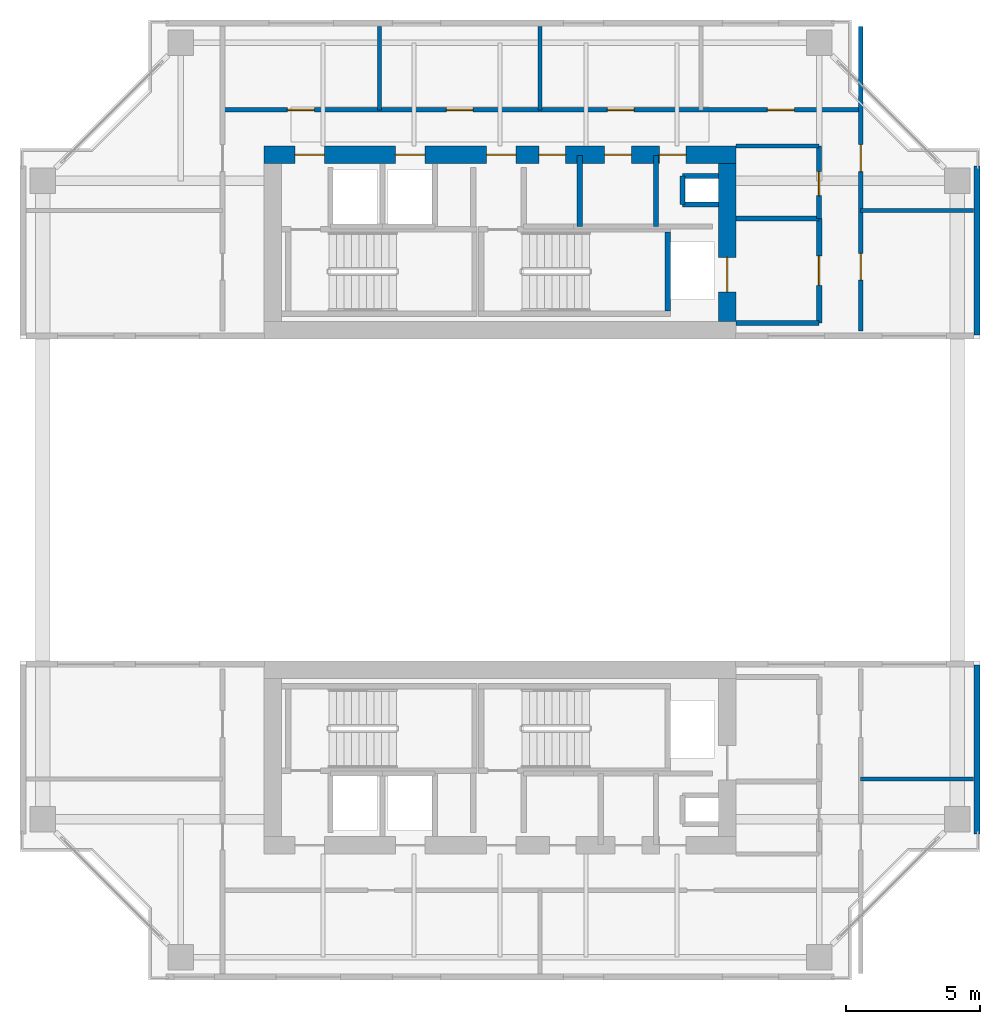
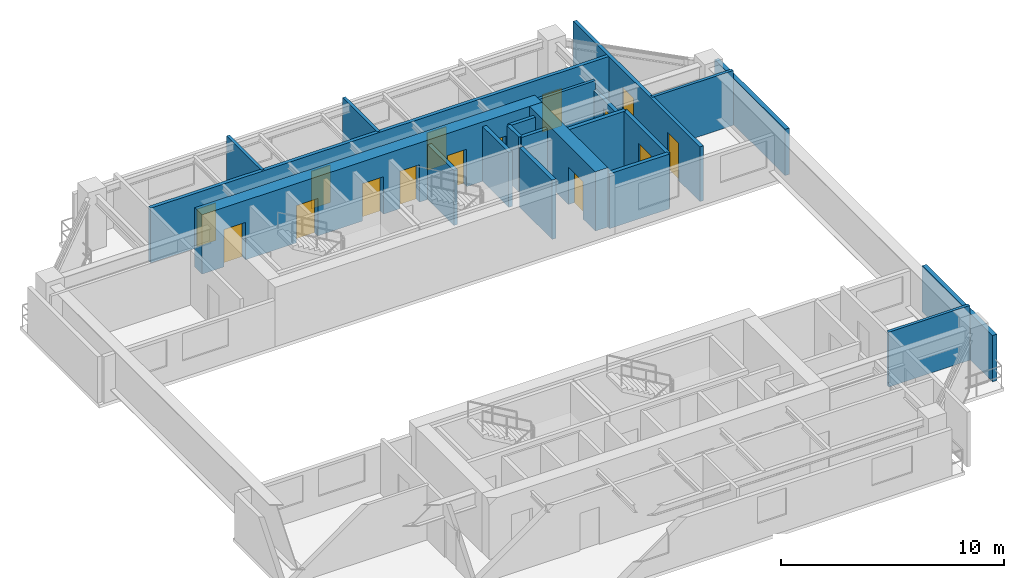
# One storey, part 9 of 12: 21 walls, 15 doors, 15 openings.
"""IFC4 building model written with IfcOpenShell, lengths in metres."""

from ifc_helpers import new_model, si_unit, direction, frame, frame_2d, origin, place, context, subcontext, project, spatial, rectangle, extrude, source, transform, mapped, material, layer, layer_set, type_object, element, fill, save


model = new_model("IFC4")

# Units and contexts
model_context = context("Model", 3, precision=1e-05, world=origin(), true_north=direction((0.0, 1.0)))
body_context = subcontext(model_context, "Body", "Model", "MODEL_VIEW")
ifc_project = project(units=[si_unit("LENGTHUNIT", "METRE"), si_unit("AREAUNIT", "SQUARE_METRE"), si_unit("VOLUMEUNIT", "CUBIC_METRE"), si_unit("PLANEANGLEUNIT", "RADIAN"), si_unit("MASSUNIT", "GRAM", prefix="KILO"), si_unit("THERMODYNAMICTEMPERATUREUNIT", "KELVIN"), si_unit("POWERUNIT", "WATT")], contexts=[model_context])

# Site, building, storey
site_placement = place(None, origin())
site = spatial("IfcSite", under=ifc_project, at=site_placement, CompositionType="ELEMENT")
building_placement = place(site_placement, origin())
building = spatial("IfcBuilding", under=site, at=building_placement, Name="Qiaomeng Ring Towers", CompositionType="ELEMENT")
storey_placement = place(building_placement, frame((0.0, 0.0, 169.75)))
storey = spatial("IfcBuildingStorey", under=building, at=storey_placement, Name="L49", CompositionType="ELEMENT", Elevation=169.75)

# Walls
ifc_material_1 = material(Name="Precast concrete C40", Category="concrete")
ifc_layer_1 = layer(ifc_material_1, 0.219970703125, Name="Precast concrete C40")
ifc_layer_set_1 = layer_set([ifc_layer_1], Name="Precast concrete C40")
wall_type_1 = type_object("IfcWallType", Name="ARC-WL-EW2", PredefinedType="STANDARD", material=ifc_layer_set_1)
for number, where, z_axis, x_axis, name in (
    (1, (36.7900390625, 29.14990234375, 0.0), (0.0, 0.0, 1.0), (0.0, 1.0, 0.0), "L49 Portal Wing Side Wall NWING-EL"),
    (2, (36.7900390625, 10.550048828125, 0.0), (0.0, 0.0, 1.0), (0.0, 1.0, 0.0), "L49 Portal Wing Side Wall SWING-EL"),
):
    element("IfcWall", number, at=place(storey_placement, frame(where, z_axis=z_axis, x_axis=x_axis)), inside=storey, type_object=wall_type_1, Name=name, PredefinedType="STANDARD", context=body_context, shape_type="SweptSolid", body=[
        extrude(rectangle(XDim=6.300048828125, YDim=0.219970703125, at=frame_2d((3.14990234375, 0.0))), origin(), (0.0, 0.0, 1.0), 2.5400390625),
    ])
ifc_material_2 = material(Name="Autoclaved aerated concrete block", Category="concrete")
ifc_layer_2 = layer(ifc_material_2, 0.199951171875, Name="Autoclaved aerated concrete block")
ifc_layer_set_2 = layer_set([ifc_layer_2], Name="Autoclaved aerated concrete block")
wall_type_2 = type_object("IfcWallType", Name="ARC-WL-PW1", PredefinedType="PARTITIONING", material=ifc_layer_set_2)
for number, where, z_axis, x_axis, name in (
    (3, (27.800048828125, 29.60009765625, 0.0), (0.0, 0.0, 1.0), (1.0, 0.0, 0.0), "L49 Interior Wall PW1"),
    (4, (27.800048828125, 33.5, 0.0), (0.0, 0.0, 1.0), (1.0, 0.0, 0.0), "L49 Interior Wall PW1"),
):
    element("IfcWall", number, at=place(storey_placement, frame(where, z_axis=z_axis, x_axis=x_axis)), inside=storey, type_object=wall_type_2, Name=name, PredefinedType="PARTITIONING", context=body_context, shape_type="SweptSolid", body=[
        extrude(rectangle(XDim=3.099853515625, YDim=0.199951171875, at=frame_2d((1.5498046875, 0.0))), origin(), (0.0, 0.0, 1.0), 3.0),
    ])

# Wall, opening, door
wall_1_placement = place(storey_placement, frame((30.89990234375, 29.60009765625, 0.0), z_axis=(0.0, 0.0, 1.0), x_axis=(0.0, 1.0, 0.0)))
wall_1 = element("IfcWall", 5, at=wall_1_placement, inside=storey, type_object=wall_type_2, Name="L49 Interior Wall PW1", PredefinedType="PARTITIONING", context=body_context, shape_type="SweptSolid", body=[
    extrude(rectangle(XDim=3.89990234375, YDim=0.199951171875, at=frame_2d((1.949951171875, 0.0))), origin(), (0.0, 0.0, 1.0), 3.0),
])
opening_1_placement = place(wall_1_placement, frame((1.39990234375, 0.0, 0.0)))
opening_1 = element("IfcOpeningElement", 6, at=opening_1_placement, cuts=wall_1, Name="Opening FD3", PredefinedType="OPENING", context=body_context, shape_type="SweptSolid", body=[
    extrude(rectangle(XDim=1.10009765625, YDim=2.050048828125, at=frame_2d((0.550048828125, 1.02490234375))), frame((0.0, 0.10986328125, 0.0), z_axis=(0.0, -1.0, 0.0), x_axis=(1.0, 0.0, 0.0)), (0.0, 0.0, 1.0), 0.219970703125),
])
ifc_material_3 = material(Name="Galvanised steel", Category="steel")
door_type_1 = type_object("IfcDoorType", Name="ARC-DR-FD3", OperationType="NOTDEFINED", PredefinedType="DOOR", material=ifc_material_3)
shared_shape_1 = source(origin(), body_context, "Body", "SweptSolid", [
    extrude(rectangle(XDim=1.10009765625, YDim=2.050048828125, at=frame_2d((0.550048828125, 1.02490234375))), frame((0.0, 0.02490234375, 0.0), z_axis=(0.0, -1.0, 0.0), x_axis=(1.0, 0.0, 0.0)), (0.0, 0.0, 1.0), 0.050048828125),
])
door_1_placement = place(opening_1_placement, origin())
door_1 = element("IfcDoor", 7, at=door_1_placement, inside=storey, type_object=door_type_1, Name="L49 North FF Lobby Door", OperationType="SINGLE_SWING_RIGHT", OverallHeight=2.050048828125, OverallWidth=1.10009765625, PredefinedType="DOOR", context=body_context, shape_type="MappedRepresentation", body=[
    mapped(shared_shape_1, transform((0.0, 0.0, 0.0), x_axis=(1.0, 0.0, 0.0), y_axis=(0.0, 1.0, 0.0), z_axis=(0.0, 0.0, 1.0), scale=1.0)),
])
fill(opening_1, door_1)

# Walls
for number, where, z_axis, x_axis, name in (
    (8, (24.820068359375, 33.199951171875, 0.0), (0.0, 0.0, 1.0), (0.0, 1.0, 0.0), "L49 Interior Wall PW1"),
    (9, (21.97998046875, 33.199951171875, 0.0), (0.0, 0.0, 1.0), (0.0, 1.0, 0.0), "L49 Interior Wall PW1"),
):
    element("IfcWall", number, at=place(storey_placement, frame(where, z_axis=z_axis, x_axis=x_axis)), inside=storey, type_object=wall_type_2, Name=name, PredefinedType="PARTITIONING", context=body_context, shape_type="SweptSolid", body=[
        extrude(rectangle(XDim=2.650146484375, YDim=0.199951171875, at=frame_2d((1.3251953125, 0.0))), origin(), (0.0, 0.0, 1.0), 3.0),
    ])

# Wall, opening, door
ifc_layer_3 = layer(ifc_material_2, 0.179931640625, Name="Autoclaved aerated concrete block")
ifc_layer_set_3 = layer_set([ifc_layer_3], Name="Autoclaved aerated concrete block")
wall_type_3 = type_object("IfcWallType", Name="ARC-WL-PW2", PredefinedType="PARTITIONING", material=ifc_layer_set_3)
wall_2_placement = place(storey_placement, frame((30.89990234375, 33.5, 0.0), z_axis=(0.0, 0.0, 1.0), x_axis=(0.0, 1.0, 0.0)))
wall_2 = element("IfcWall", 10, at=wall_2_placement, inside=storey, type_object=wall_type_3, Name="L49 Interior Wall PW2", PredefinedType="PARTITIONING", context=body_context, shape_type="SweptSolid", body=[
    extrude(rectangle(XDim=2.699951171875, YDim=0.179931640625, at=frame_2d((1.35009765625, 0.0))), origin(), (0.0, 0.0, 1.0), 2.4951171875),
])
opening_2_placement = place(wall_2_placement, frame((0.85009765625, 0.0, 0.0)))
opening_2 = element("IfcOpeningElement", 11, at=opening_2_placement, cuts=wall_2, Name="Opening ID1", PredefinedType="OPENING", context=body_context, shape_type="SweptSolid", body=[
    extrude(rectangle(XDim=0.89990234375, YDim=2.050048828125, at=frame_2d((0.449951171875, 1.02490234375))), frame((0.0, 0.099853515625, 0.0), z_axis=(0.0, -1.0, 0.0), x_axis=(1.0, 0.0, 0.0)), (0.0, 0.0, 1.0), 0.199951171875),
])
ifc_material_4 = material(Name="Engineered oak timber", Category="wood")
door_type_2 = type_object("IfcDoorType", Name="ARC-DR-ID1", OperationType="NOTDEFINED", PredefinedType="DOOR", material=ifc_material_4)
shared_shape_2 = source(origin(), body_context, "Body", "SweptSolid", [
    extrude(rectangle(XDim=0.89990234375, YDim=2.050048828125, at=frame_2d((0.449951171875, 1.02490234375))), frame((0.0, 0.02490234375, 0.0), z_axis=(0.0, -1.0, 0.0), x_axis=(1.0, 0.0, 0.0)), (0.0, 0.0, 1.0), 0.050048828125),
])
door_2_placement = place(opening_2_placement, origin())
door_2 = element("IfcDoor", 12, at=door_2_placement, inside=storey, type_object=door_type_2, Name="L49 Door ID1", OperationType="SINGLE_SWING_RIGHT", OverallHeight=2.050048828125, OverallWidth=0.89990234375, PredefinedType="DOOR", context=body_context, shape_type="MappedRepresentation", body=[
    mapped(shared_shape_2, transform((0.0, 0.0, 0.0), x_axis=(1.0, 0.0, 0.0), y_axis=(0.0, 1.0, 0.0), z_axis=(0.0, 0.0, 1.0), scale=1.0)),
])
fill(opening_2, door_2)

# Wall, openings, doors
wall_3_placement = place(storey_placement, frame((32.449951171875, 29.300048828125, 0.0), z_axis=(0.0, 0.0, 1.0), x_axis=(0.0, 1.0, 0.0)))
wall_3 = element("IfcWall", 13, at=wall_3_placement, inside=storey, type_object=wall_type_3, Name="L49 Interior Wall PW2", PredefinedType="PARTITIONING", context=body_context, shape_type="SweptSolid", body=[
    extrude(rectangle(XDim=11.349853515625, YDim=0.179931640625, at=frame_2d((5.6748046875, 0.0))), origin(), (0.0, 0.0, 1.0), 3.0),
])
opening_3_placement = place(wall_3_placement, frame((1.89990234375, 0.0, 0.0)))
opening_3 = element("IfcOpeningElement", 14, at=opening_3_placement, cuts=wall_3, Name="Opening FD4", PredefinedType="OPENING", context=body_context, shape_type="SweptSolid", body=[
    extrude(rectangle(XDim=1.0, YDim=2.050048828125, at=frame_2d((0.5, 1.02490234375))), frame((0.0, 0.099853515625, 0.0), z_axis=(0.0, -1.0, 0.0), x_axis=(1.0, 0.0, 0.0)), (0.0, 0.0, 1.0), 0.199951171875),
])
opening_4_placement = place(wall_3_placement, frame((5.949951171875, 0.0, 0.0)))
opening_4 = element("IfcOpeningElement", 15, at=opening_4_placement, cuts=wall_3, Name="Opening FD4", PredefinedType="OPENING", context=body_context, shape_type="SweptSolid", body=[
    extrude(rectangle(XDim=1.0, YDim=2.050048828125, at=frame_2d((0.5, 1.02490234375))), frame((0.0, 0.099853515625, 0.0), z_axis=(0.0, -1.0, 0.0), x_axis=(1.0, 0.0, 0.0)), (0.0, 0.0, 1.0), 0.199951171875),
])
ifc_material_5 = material(Name="Engineered fire-rated oak timber", Category="wood")
door_type_3 = type_object("IfcDoorType", Name="ARC-DR-FD4", OperationType="NOTDEFINED", PredefinedType="DOOR", material=ifc_material_5)
shared_shape_3 = source(origin(), body_context, "Body", "SweptSolid", [
    extrude(rectangle(XDim=1.0, YDim=2.050048828125, at=frame_2d((0.5, 1.02490234375))), frame((0.0, 0.02490234375, 0.0), z_axis=(0.0, -1.0, 0.0), x_axis=(1.0, 0.0, 0.0)), (0.0, 0.0, 1.0), 0.050048828125),
])
door_3_placement = place(opening_3_placement, origin())
door_3 = element("IfcDoor", 16, at=door_3_placement, inside=storey, type_object=door_type_3, Name="L49 Door FD4", OperationType="SINGLE_SWING_RIGHT", OverallHeight=2.050048828125, OverallWidth=1.0, PredefinedType="DOOR", context=body_context, shape_type="MappedRepresentation", body=[
    mapped(shared_shape_3, transform((0.0, 0.0, 0.0), x_axis=(1.0, 0.0, 0.0), y_axis=(0.0, 1.0, 0.0), z_axis=(0.0, 0.0, 1.0), scale=1.0)),
])
fill(opening_3, door_3)
door_4_placement = place(opening_4_placement, origin())
door_4 = element("IfcDoor", 17, at=door_4_placement, inside=storey, type_object=door_type_3, Name="L49 Door FD4", OperationType="SINGLE_SWING_LEFT", OverallHeight=2.050048828125, OverallWidth=1.0, PredefinedType="DOOR", context=body_context, shape_type="MappedRepresentation", body=[
    mapped(shared_shape_3, transform((0.0, 0.0, 0.0), x_axis=(1.0, 0.0, 0.0), y_axis=(0.0, 1.0, 0.0), z_axis=(0.0, 0.0, 1.0), scale=1.0)),
])
fill(opening_4, door_4)

wall_4_placement = place(storey_placement, frame((8.64990234375, 37.550048828125, 0.0), z_axis=(0.0, 0.0, 1.0), x_axis=(1.0, 0.0, 0.0)))
wall_4 = element("IfcWall", 18, at=wall_4_placement, inside=storey, type_object=wall_type_3, Name="L49 Interior Wall PW2", PredefinedType="PARTITIONING", context=body_context, shape_type="SweptSolid", body=[
    extrude(rectangle(XDim=23.800048828125, YDim=0.179931640625, at=frame_2d((11.89990234375, 0.0))), origin(), (0.0, 0.0, 1.0), 3.0),
])
opening_5_placement = place(wall_4_placement, frame((2.425048828125, 0.0, 0.0)))
opening_5 = element("IfcOpeningElement", 19, at=opening_5_placement, cuts=wall_4, Name="Opening FD4", PredefinedType="OPENING", context=body_context, shape_type="SweptSolid", body=[
    extrude(rectangle(XDim=1.0, YDim=2.050048828125, at=frame_2d((0.5, 1.02490234375))), frame((0.0, 0.099853515625, 0.0), z_axis=(0.0, -1.0, 0.0), x_axis=(1.0, 0.0, 0.0)), (0.0, 0.0, 1.0), 0.199951171875),
])
opening_6_placement = place(wall_4_placement, frame((8.35009765625, 0.0, 0.0)))
opening_6 = element("IfcOpeningElement", 20, at=opening_6_placement, cuts=wall_4, Name="Opening FD4", PredefinedType="OPENING", context=body_context, shape_type="SweptSolid", body=[
    extrude(rectangle(XDim=1.0, YDim=2.050048828125, at=frame_2d((0.5, 1.02490234375))), frame((0.0, 0.099853515625, 0.0), z_axis=(0.0, -1.0, 0.0), x_axis=(1.0, 0.0, 0.0)), (0.0, 0.0, 1.0), 0.199951171875),
])
opening_7_placement = place(wall_4_placement, frame((14.35009765625, 0.0, 0.0)))
opening_7 = element("IfcOpeningElement", 21, at=opening_7_placement, cuts=wall_4, Name="Opening FD4", PredefinedType="OPENING", context=body_context, shape_type="SweptSolid", body=[
    extrude(rectangle(XDim=1.0, YDim=2.050048828125, at=frame_2d((0.5, 1.02490234375))), frame((0.0, 0.099853515625, 0.0), z_axis=(0.0, -1.0, 0.0), x_axis=(1.0, 0.0, 0.0)), (0.0, 0.0, 1.0), 0.199951171875),
])
opening_8_placement = place(wall_4_placement, frame((20.324951171875, 0.0, 0.0)))
opening_8 = element("IfcOpeningElement", 22, at=opening_8_placement, cuts=wall_4, Name="Opening FD4", PredefinedType="OPENING", context=body_context, shape_type="SweptSolid", body=[
    extrude(rectangle(XDim=1.0, YDim=2.050048828125, at=frame_2d((0.5, 1.02490234375))), frame((0.0, 0.099853515625, 0.0), z_axis=(0.0, -1.0, 0.0), x_axis=(1.0, 0.0, 0.0)), (0.0, 0.0, 1.0), 0.199951171875),
])
door_5_placement = place(opening_5_placement, origin())
door_5 = element("IfcDoor", 23, at=door_5_placement, inside=storey, type_object=door_type_3, Name="L49 Door FD4", OperationType="SINGLE_SWING_RIGHT", OverallHeight=2.050048828125, OverallWidth=1.0, PredefinedType="DOOR", context=body_context, shape_type="MappedRepresentation", body=[
    mapped(shared_shape_3, transform((0.0, 0.0, 0.0), x_axis=(1.0, 0.0, 0.0), y_axis=(0.0, 1.0, 0.0), z_axis=(0.0, 0.0, 1.0), scale=1.0)),
])
fill(opening_5, door_5)
door_6_placement = place(opening_6_placement, origin())
door_6 = element("IfcDoor", 24, at=door_6_placement, inside=storey, type_object=door_type_3, Name="L49 Door FD4", OperationType="SINGLE_SWING_LEFT", OverallHeight=2.050048828125, OverallWidth=1.0, PredefinedType="DOOR", context=body_context, shape_type="MappedRepresentation", body=[
    mapped(shared_shape_3, transform((0.0, 0.0, 0.0), x_axis=(1.0, 0.0, 0.0), y_axis=(0.0, 1.0, 0.0), z_axis=(0.0, 0.0, 1.0), scale=1.0)),
])
fill(opening_6, door_6)
door_7_placement = place(opening_7_placement, origin())
door_7 = element("IfcDoor", 25, at=door_7_placement, inside=storey, type_object=door_type_3, Name="L49 Door FD4", OperationType="SINGLE_SWING_RIGHT", OverallHeight=2.050048828125, OverallWidth=1.0, PredefinedType="DOOR", context=body_context, shape_type="MappedRepresentation", body=[
    mapped(shared_shape_3, transform((0.0, 0.0, 0.0), x_axis=(1.0, 0.0, 0.0), y_axis=(0.0, 1.0, 0.0), z_axis=(0.0, 0.0, 1.0), scale=1.0)),
])
fill(opening_7, door_7)
door_8_placement = place(opening_8_placement, origin())
door_8 = element("IfcDoor", 26, at=door_8_placement, inside=storey, type_object=door_type_3, Name="L49 Door FD4", OperationType="SINGLE_SWING_LEFT", OverallHeight=2.050048828125, OverallWidth=1.0, PredefinedType="DOOR", context=body_context, shape_type="MappedRepresentation", body=[
    mapped(shared_shape_3, transform((0.0, 0.0, 0.0), x_axis=(1.0, 0.0, 0.0), y_axis=(0.0, 1.0, 0.0), z_axis=(0.0, 0.0, 1.0), scale=1.0)),
])
fill(opening_8, door_8)

# Walls
ifc_material_6 = material(Name="Gypsum fireboard steel-stud partition", Category="steel")
ifc_layer_4 = layer(ifc_material_6, 0.14990234375, Name="Gypsum fireboard steel-stud partition")
ifc_layer_set_4 = layer_set([ifc_layer_4], Name="Gypsum fireboard steel-stud partition")
wall_type_4 = type_object("IfcWallType", Name="ARC-WL-PW3", PredefinedType="PARTITIONING", material=ifc_layer_set_4)
wall_5_placement = place(storey_placement, frame((27.800048828125, 36.199951171875, 0.0), z_axis=(0.0, 0.0, 1.0), x_axis=(1.0, 0.0, 0.0)))
element("IfcWall", 27, at=wall_5_placement, inside=storey, type_object=wall_type_4, Name="L49 Interior Wall PW3", PredefinedType="PARTITIONING", context=body_context, shape_type="SweptSolid", body=[
    extrude(rectangle(XDim=3.099853515625, YDim=0.14990234375, at=frame_2d((1.5498046875, 0.0))), origin(), (0.0, 0.0, 1.0), 3.0),
])
wall_6_placement = place(storey_placement, frame((32.449951171875, 33.800048828125, 0.0), z_axis=(0.0, 0.0, 1.0), x_axis=(1.0, 0.0, 0.0)))
element("IfcWall", 28, at=wall_6_placement, inside=storey, type_object=wall_type_4, Name="L49 Interior Wall PW3", PredefinedType="PARTITIONING", context=body_context, shape_type="SweptSolid", body=[
    extrude(rectangle(XDim=4.199951171875, YDim=0.14990234375, at=frame_2d((2.10009765625, 0.0))), origin(), (0.0, 0.0, 1.0), 3.0),
])
for number, where, z_axis, x_axis, name in (
    (29, (14.5, 37.550048828125, 0.0), (0.0, 0.0, 1.0), (0.0, 1.0, 0.0), "L49 Interior Wall PW3"),
    (30, (20.5, 37.550048828125, 0.0), (0.0, 0.0, 1.0), (0.0, 1.0, 0.0), "L49 Interior Wall PW3"),
):
    element("IfcWall", number, at=place(storey_placement, frame(where, z_axis=z_axis, x_axis=x_axis)), inside=storey, type_object=wall_type_4, Name=name, PredefinedType="PARTITIONING", context=body_context, shape_type="SweptSolid", body=[
        extrude(rectangle(XDim=3.099853515625, YDim=0.14990234375, at=frame_2d((1.5498046875, 0.0))), origin(), (0.0, 0.0, 1.0), 3.0),
    ])
wall_7_placement = place(storey_placement, frame((32.449951171875, 12.60009765625, 0.0), z_axis=(0.0, 0.0, 1.0), x_axis=(1.0, 0.0, 0.0)))
element("IfcWall", 31, at=wall_7_placement, inside=storey, type_object=wall_type_4, Name="L49 Interior Wall PW3", PredefinedType="PARTITIONING", context=body_context, shape_type="SweptSolid", body=[
    extrude(rectangle(XDim=4.199951171875, YDim=0.14990234375, at=frame_2d((2.10009765625, 0.0))), origin(), (0.0, 0.0, 1.0), 3.0),
])
ifc_material_7 = material(Name="Concrete C40", Category="concrete")
ifc_layer_5 = layer(ifc_material_7, 0.199951171875, Name="Concrete C40")
ifc_layer_set_5 = layer_set([ifc_layer_5], Name="Concrete C40")
wall_type_5 = type_object("IfcWallType", Name="STR-WL-STSHAFT", PredefinedType="SHEAR", material=ifc_layer_set_5)
wall_8_placement = place(storey_placement, frame((25.800048828125, 34.02001953125, 0.0), z_axis=(0.0, 0.0, 1.0), x_axis=(0.0, 1.0, 0.0)))
element("IfcWall", 32, at=wall_8_placement, inside=storey, type_object=wall_type_5, Name="L49 Riser RSR1 West Shaft Wall N", PredefinedType="SHEAR", context=body_context, shape_type="SweptSolid", body=[
    extrude(rectangle(XDim=1.06005859375, YDim=0.179931640625, at=frame_2d((0.530029296875, 0.0))), origin(), (0.0, 0.0, 1.0), 3.0),
])
for number, where, z_axis, x_axis, name in (
    (33, (25.800048828125, 35.080078125, 0.0), (0.0, 0.0, 1.0), (1.0, 0.0, 0.0), "L49 Riser RSR1 North Shaft Wall N"),
    (34, (25.800048828125, 34.02001953125, 0.0), (0.0, 0.0, 1.0), (1.0, 0.0, 0.0), "L49 Riser RSR1 South Shaft Wall N"),
):
    element("IfcWall", number, at=place(storey_placement, frame(where, z_axis=z_axis, x_axis=x_axis)), inside=storey, type_object=wall_type_5, Name=name, PredefinedType="SHEAR", context=body_context, shape_type="SweptSolid", body=[
        extrude(rectangle(XDim=1.349853515625, YDim=0.179931640625, at=frame_2d((0.6748046875, 0.0))), origin(), (0.0, 0.0, 1.0), 3.0),
    ])
wall_9_placement = place(storey_placement, frame((25.25, 30.050048828125, 0.0), z_axis=(0.0, 0.0, 1.0), x_axis=(0.0, 1.0, 0.0)))
element("IfcWall", 35, at=wall_9_placement, inside=storey, type_object=wall_type_5, Name="L49 Stair ST2 East Shaft Shear Wall", PredefinedType="SHEAR", context=body_context, shape_type="SweptSolid", body=[
    extrude(rectangle(XDim=2.93994140625, YDim=0.199951171875, at=frame_2d((1.469970703125, 0.0))), origin(), (0.0, 0.0, 1.0), 3.25),
])

# Wall, openings, doors
ifc_material_8 = material(Name="Concrete C50", Category="concrete")
ifc_layer_6 = layer(ifc_material_8, 0.64990234375, Name="Concrete C50")
ifc_layer_set_6 = layer_set([ifc_layer_6], Name="Concrete C50")
wall_type_6 = type_object("IfcWallType", Name="STR-WL-SW2B", PredefinedType="SHEAR", material=ifc_layer_set_6)
wall_10_placement = place(storey_placement, frame((10.199951171875, 35.875, 0.0), z_axis=(0.0, 0.0, 1.0), x_axis=(1.0, 0.0, 0.0)))
wall_10 = element("IfcWall", 36, at=wall_10_placement, inside=storey, type_object=wall_type_6, Name="L49 T1NC north core shear wall", PredefinedType="SHEAR", context=body_context, shape_type="SweptSolid", body=[
    extrude(rectangle(XDim=17.60009765625, YDim=0.64990234375, at=frame_2d((8.800048828125, 0.0))), origin(), (0.0, 0.0, 1.0), 3.25),
])
opening_9_placement = place(wall_10_placement, frame((1.14990234375, 0.0, 0.0)))
opening_9 = element("IfcOpeningElement", 37, at=opening_9_placement, cuts=wall_10, Name="Opening FD3", PredefinedType="OPENING", context=body_context, shape_type="SweptSolid", body=[
    extrude(rectangle(XDim=1.10009765625, YDim=2.050048828125, at=frame_2d((0.550048828125, 1.02490234375))), frame((0.0, 0.3349609375, 0.0), z_axis=(0.0, -1.0, 0.0), x_axis=(1.0, 0.0, 0.0)), (0.0, 0.0, 1.0), 0.669921875),
])
opening_10_placement = place(wall_10_placement, frame((8.300048828125, 0.0, 0.0)))
opening_10 = element("IfcOpeningElement", 38, at=opening_10_placement, cuts=wall_10, Name="Opening FD3", PredefinedType="OPENING", context=body_context, shape_type="SweptSolid", body=[
    extrude(rectangle(XDim=1.10009765625, YDim=2.050048828125, at=frame_2d((0.550048828125, 1.02490234375))), frame((0.0, 0.3349609375, 0.0), z_axis=(0.0, -1.0, 0.0), x_axis=(1.0, 0.0, 0.0)), (0.0, 0.0, 1.0), 0.669921875),
])
opening_11_placement = place(wall_10_placement, frame((4.89990234375, 0.0, 0.0)))
opening_11 = element("IfcOpeningElement", 39, at=opening_11_placement, cuts=wall_10, Name="Opening LD1", PredefinedType="OPENING", context=body_context, shape_type="SweptSolid", body=[
    extrude(rectangle(XDim=1.10009765625, YDim=2.050048828125, at=frame_2d((0.550048828125, 1.02490234375))), frame((0.0, 0.3349609375, 0.0), z_axis=(0.0, -1.0, 0.0), x_axis=(1.0, 0.0, 0.0)), (0.0, 0.0, 1.0), 0.669921875),
])
opening_12_placement = place(wall_10_placement, frame((14.739990234375, 0.0, 0.0)))
opening_12 = element("IfcOpeningElement", 40, at=opening_12_placement, cuts=wall_10, Name="Opening FD1", PredefinedType="OPENING", context=body_context, shape_type="SweptSolid", body=[
    extrude(rectangle(XDim=1.0, YDim=2.050048828125, at=frame_2d((0.5, 1.02490234375))), frame((0.0, 0.3349609375, 0.0), z_axis=(0.0, -1.0, 0.0), x_axis=(1.0, 0.0, 0.0)), (0.0, 0.0, 1.0), 0.669921875),
])
opening_13_placement = place(wall_10_placement, frame((10.25, 0.0, 0.0)))
opening_13 = element("IfcOpeningElement", 41, at=opening_13_placement, cuts=wall_10, Name="Opening FD1", PredefinedType="OPENING", context=body_context, shape_type="SweptSolid", body=[
    extrude(rectangle(XDim=1.0, YDim=2.050048828125, at=frame_2d((0.5, 1.02490234375))), frame((0.0, 0.3349609375, 0.0), z_axis=(0.0, -1.0, 0.0), x_axis=(1.0, 0.0, 0.0)), (0.0, 0.0, 1.0), 0.669921875),
])
opening_14_placement = place(wall_10_placement, frame((12.699951171875, 0.0, 0.0)))
opening_14 = element("IfcOpeningElement", 42, at=opening_14_placement, cuts=wall_10, Name="Opening FD1", PredefinedType="OPENING", context=body_context, shape_type="SweptSolid", body=[
    extrude(rectangle(XDim=1.0, YDim=2.050048828125, at=frame_2d((0.5, 1.02490234375))), frame((0.0, 0.3349609375, 0.0), z_axis=(0.0, -1.0, 0.0), x_axis=(1.0, 0.0, 0.0)), (0.0, 0.0, 1.0), 0.669921875),
])
door_9_placement = place(opening_9_placement, origin())
door_9 = element("IfcDoor", 43, at=door_9_placement, inside=storey, type_object=door_type_1, Name="L49 Stair ST1 Lobby Door", OperationType="SINGLE_SWING_RIGHT", OverallHeight=2.050048828125, OverallWidth=1.10009765625, PredefinedType="DOOR", context=body_context, shape_type="MappedRepresentation", body=[
    mapped(shared_shape_1, transform((0.0, 0.0, 0.0), x_axis=(1.0, 0.0, 0.0), y_axis=(0.0, 1.0, 0.0), z_axis=(0.0, 0.0, 1.0), scale=1.0)),
])
fill(opening_9, door_9)
door_10_placement = place(opening_10_placement, origin())
door_10 = element("IfcDoor", 44, at=door_10_placement, inside=storey, type_object=door_type_1, Name="L49 Stair ST2 Lobby Door", OperationType="SINGLE_SWING_RIGHT", OverallHeight=2.050048828125, OverallWidth=1.10009765625, PredefinedType="DOOR", context=body_context, shape_type="MappedRepresentation", body=[
    mapped(shared_shape_1, transform((0.0, 0.0, 0.0), x_axis=(1.0, 0.0, 0.0), y_axis=(0.0, 1.0, 0.0), z_axis=(0.0, 0.0, 1.0), scale=1.0)),
])
fill(opening_10, door_10)
ifc_material_9 = material(Name="Stainless steel 316", Category="steel")
door_type_4 = type_object("IfcDoorType", Name="ARC-DR-LD1", OperationType="NOTDEFINED", PredefinedType="DOOR", material=ifc_material_9)
door_11_placement = place(opening_11_placement, origin())
door_11 = element("IfcDoor", 45, at=door_11_placement, inside=storey, type_object=door_type_4, Name="L49 Mid-Zone Lift LP3 Landing Door", OperationType="SLIDING_TO_LEFT", OverallHeight=2.050048828125, OverallWidth=1.10009765625, PredefinedType="DOOR", context=body_context, shape_type="MappedRepresentation", body=[
    mapped(shared_shape_1, transform((0.0, 0.0, 0.0), x_axis=(1.0, 0.0, 0.0), y_axis=(0.0, 1.0, 0.0), z_axis=(0.0, 0.0, 1.0), scale=1.0)),
])
fill(opening_11, door_11)
door_type_5 = type_object("IfcDoorType", Name="ARC-DR-FD1", OperationType="NOTDEFINED", PredefinedType="DOOR", material=ifc_material_3)
door_12_placement = place(opening_12_placement, origin())
door_12 = element("IfcDoor", 46, at=door_12_placement, inside=storey, type_object=door_type_5, Name="L49 North Electrical Riser Door", OperationType="SINGLE_SWING_RIGHT", OverallHeight=2.050048828125, OverallWidth=1.0, PredefinedType="DOOR", context=body_context, shape_type="MappedRepresentation", body=[
    mapped(shared_shape_3, transform((0.0, 0.0, 0.0), x_axis=(1.0, 0.0, 0.0), y_axis=(0.0, 1.0, 0.0), z_axis=(0.0, 0.0, 1.0), scale=1.0)),
])
fill(opening_12, door_12)
door_13_placement = place(opening_13_placement, origin())
door_13 = element("IfcDoor", 47, at=door_13_placement, inside=storey, type_object=door_type_5, Name="L49 North Cleaners Store Door", OperationType="SINGLE_SWING_RIGHT", OverallHeight=2.050048828125, OverallWidth=1.0, PredefinedType="DOOR", context=body_context, shape_type="MappedRepresentation", body=[
    mapped(shared_shape_3, transform((0.0, 0.0, 0.0), x_axis=(1.0, 0.0, 0.0), y_axis=(0.0, 1.0, 0.0), z_axis=(0.0, 0.0, 1.0), scale=1.0)),
])
fill(opening_13, door_13)
door_14_placement = place(opening_14_placement, origin())
door_14 = element("IfcDoor", 48, at=door_14_placement, inside=storey, type_object=door_type_5, Name="L49 North Facilities Management Office Door", OperationType="SINGLE_SWING_LEFT", OverallHeight=2.050048828125, OverallWidth=1.0, PredefinedType="DOOR", context=body_context, shape_type="MappedRepresentation", body=[
    mapped(shared_shape_3, transform((0.0, 0.0, 0.0), x_axis=(1.0, 0.0, 0.0), y_axis=(0.0, 1.0, 0.0), z_axis=(0.0, 0.0, 1.0), scale=1.0)),
])
fill(opening_14, door_14)

# Wall, opening, door
wall_11_placement = place(storey_placement, frame((27.47509765625, 29.64990234375, 0.0), z_axis=(0.0, 0.0, 1.0), x_axis=(0.0, 1.0, 0.0)))
wall_11 = element("IfcWall", 49, at=wall_11_placement, inside=storey, type_object=wall_type_6, Name="L49 T1NC east core shear wall", PredefinedType="SHEAR", context=body_context, shape_type="SweptSolid", body=[
    extrude(rectangle(XDim=5.900146484375, YDim=0.64990234375, at=frame_2d((2.9501953125, 0.0))), origin(), (0.0, 0.0, 1.0), 3.25),
])
opening_15_placement = place(wall_11_placement, frame((1.10009765625, 0.0, 0.0)))
opening_15 = element("IfcOpeningElement", 50, at=opening_15_placement, cuts=wall_11, Name="Opening LD2", PredefinedType="OPENING", context=body_context, shape_type="SweptSolid", body=[
    extrude(rectangle(XDim=1.300048828125, YDim=2.050048828125, at=frame_2d((0.64990234375, 1.02490234375))), frame((0.0, 0.3349609375, 0.0), z_axis=(0.0, -1.0, 0.0), x_axis=(1.0, 0.0, 0.0)), (0.0, 0.0, 1.0), 0.669921875),
])
door_type_6 = type_object("IfcDoorType", Name="ARC-DR-LD2", OperationType="NOTDEFINED", PredefinedType="DOOR", material=ifc_material_9)
shared_shape_4 = source(origin(), body_context, "Body", "SweptSolid", [
    extrude(rectangle(XDim=1.300048828125, YDim=2.050048828125, at=frame_2d((0.64990234375, 1.02490234375))), frame((0.0, 0.02490234375, 0.0), z_axis=(0.0, -1.0, 0.0), x_axis=(1.0, 0.0, 0.0)), (0.0, 0.0, 1.0), 0.050048828125),
])
door_15_placement = place(opening_15_placement, origin())
door_15 = element("IfcDoor", 51, at=door_15_placement, inside=storey, type_object=door_type_6, Name="L49 Firefighting Lift FL1 Landing Door", OperationType="SLIDING_TO_LEFT", OverallHeight=2.050048828125, OverallWidth=1.300048828125, PredefinedType="DOOR", context=body_context, shape_type="MappedRepresentation", body=[
    mapped(shared_shape_4, transform((0.0, 0.0, 0.0), x_axis=(1.0, 0.0, 0.0), y_axis=(0.0, 1.0, 0.0), z_axis=(0.0, 0.0, 1.0), scale=1.0)),
])
fill(opening_15, door_15)

save(model, "model.ifc")
